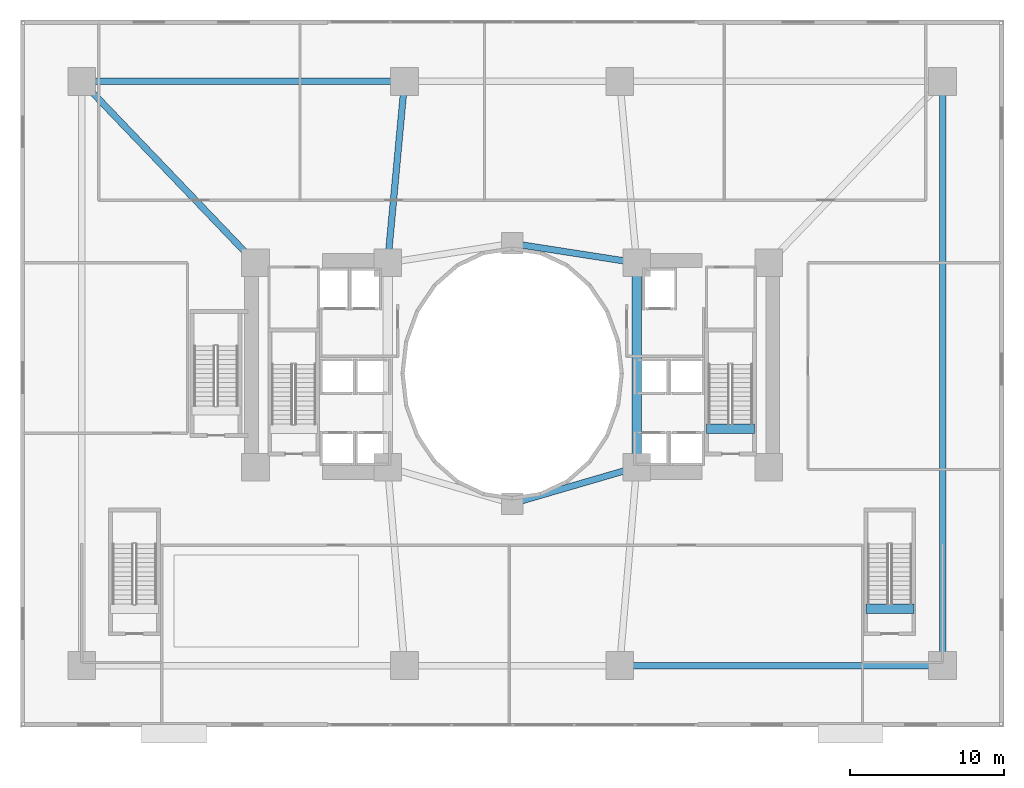
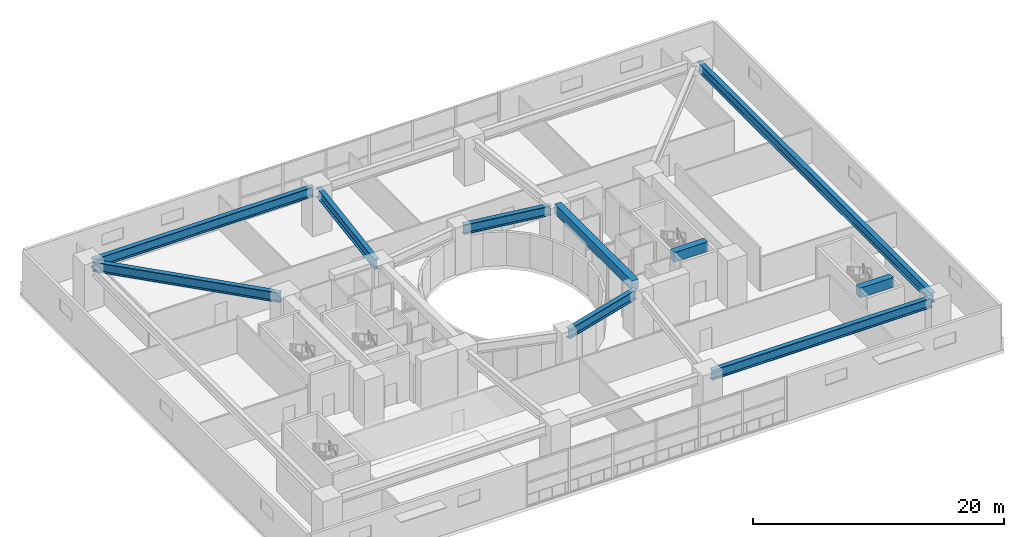
# One storey, part 5 of 20: 10 beams.
"""IFC4 building model written with IfcOpenShell, lengths in metres."""

import ifcopenshell
import ifcopenshell.guid

model = None  # the IFC model being written
_history = None  # IfcOwnerHistory: only IFC2X3 demands one
_inside = {}  # id of a spatial element -> (the spatial element, [elements in it])
_under = {}  # id of a project, library or spatial element -> (it, [spatial elements below it])
_declared = {}  # id of a project -> (the project, [libraries it declares])
_typed = {}  # id of a type object -> (the type object, [elements of that type])
_made_of = {}  # id of a material, layer set ... -> (it, [elements and type objects made of it])


def new_model(schema):
    """Start an empty IFC model of exactly this schema.

    Asked for "IFC4X3", IfcOpenShell would pick the latest addendum, in which some entities
    have other attributes; the version numbers below select the first issue.
    IFC2X3 requires an IfcOwnerHistory on every rooted entity: one is made here for all.
    """
    global model, _history
    if schema == "IFC4X3":
        model = ifcopenshell.file(schema_version=(4, 3, 0, 0))
    else:
        model = ifcopenshell.file(schema=schema)
    _inside.clear()
    _under.clear()
    _declared.clear()
    _typed.clear()
    _made_of.clear()
    _history = None
    if model.schema == "IFC2X3":
        org = make("IfcOrganization", Name="unknown")
        user = make(
            "IfcPersonAndOrganization",
            ThePerson=make("IfcPerson", FamilyName="unknown"),
            TheOrganization=org,
        )
        app = make(
            "IfcApplication",
            ApplicationDeveloper=org,
            Version="unknown",
            ApplicationFullName="unknown",
            ApplicationIdentifier="unknown",
        )
        _history = make(
            "IfcOwnerHistory",
            OwningUser=user,
            OwningApplication=app,
            ChangeAction="ADDED",
            CreationDate=0,
        )
    return model


def make(cls, **values):
    """One entity of the class cls with the attributes given. An attribute that is None is left unset."""
    return model.create_entity(
        cls, **{name: value for name, value in values.items() if value is not None}
    )


def rooted(cls, **values):
    """An entity with a GlobalId (a new one), such as an element, a storey or a relation."""
    return make(cls, GlobalId=ifcopenshell.guid.new(), OwnerHistory=_history, **values)


def si_unit(unit_type, name, prefix=None):
    """IfcSIUnit, for example si_unit("LENGTHUNIT", "METRE", prefix="MILLI")."""
    return make("IfcSIUnit", UnitType=unit_type, Prefix=prefix, Name=name)


def assignment(units):
    """IfcUnitAssignment: the units of a project."""
    return None if units is None else make("IfcUnitAssignment", Units=units)


def point(xyz):
    """IfcCartesianPoint."""
    return None if xyz is None else make("IfcCartesianPoint", Coordinates=xyz)


def direction(xyz):
    """IfcDirection."""
    return None if xyz is None else make("IfcDirection", DirectionRatios=xyz)


def frame(location, z_axis=None, x_axis=None):
    """IfcAxis2Placement3D, a coordinate frame: its origin and axes. An axis left out is left unset."""
    return make(
        "IfcAxis2Placement3D",
        Location=point(location),
        Axis=direction(z_axis),
        RefDirection=direction(x_axis),
    )


def frame_2d(location, x_axis=None):
    """IfcAxis2Placement2D, a coordinate frame in the plane: its origin and x axis."""
    return make(
        "IfcAxis2Placement2D", Location=point(location), RefDirection=direction(x_axis)
    )


def origin():
    """The frame at (0, 0, 0) with its axes left unset."""
    return frame((0.0, 0.0, 0.0))


def origin_2d():
    """The frame at (0, 0) in the plane with its x axis left unset."""
    return frame_2d((0.0, 0.0))


def place(relative_to, where):
    """IfcLocalPlacement: puts the frame where relative to a parent placement (None: the world)."""
    return make(
        "IfcLocalPlacement", PlacementRelTo=relative_to, RelativePlacement=where
    )


def context(
    kind, dimensions, precision=None, world=None, true_north=None, identifier=None
):
    """IfcGeometricRepresentationContext, for example the 3D "Model" context."""
    return make(
        "IfcGeometricRepresentationContext",
        ContextIdentifier=identifier,
        ContextType=kind,
        CoordinateSpaceDimension=dimensions,
        Precision=precision,
        WorldCoordinateSystem=world,
        TrueNorth=true_north,
    )


def subcontext(parent, identifier, kind, view, scale=None):
    """IfcGeometricRepresentationSubContext, for example "Body" below "Model"."""
    return make(
        "IfcGeometricRepresentationSubContext",
        ContextIdentifier=identifier,
        ContextType=kind,
        ParentContext=parent,
        TargetScale=scale,
        TargetView=view,
    )


def project(units=None, contexts=None):
    """IfcProject with its units and contexts."""
    return rooted(
        "IfcProject",
        Name="project",
        RepresentationContexts=contexts,
        UnitsInContext=assignment(units),
    )


def spatial(cls, under=None, at=None, **own):
    """A site, building, storey or space (cls), placed at a placement, below another one or the project."""
    s = rooted(cls, ObjectPlacement=at, **own)
    if under is not None:
        _under.setdefault(under.id(), (under, []))[1].append(s)
    return s


def profile(cls, at=None, kind="AREA", **sizes):
    """A parametric profile (cls). Its sizes go by their IFC names, for example OverallWidth=200.0."""
    return make(cls, ProfileType=kind, Position=at, **sizes)


def rectangle(**sizes):
    """IfcRectangleProfileDef."""
    return profile("IfcRectangleProfileDef", **sizes)


def i_section(**sizes):
    """IfcIShapeProfileDef."""
    return profile("IfcIShapeProfileDef", **sizes)


def extrude(swept, where, along, depth):
    """IfcExtrudedAreaSolid: the profile swept, set in the frame where, extruded along a direction by depth."""
    return make(
        "IfcExtrudedAreaSolid",
        SweptArea=swept,
        Position=where,
        ExtrudedDirection=direction(along),
        Depth=depth,
    )


def shape(context_of_items, identifier, shape_type, items):
    """IfcShapeRepresentation: the items that make up one representation, for example the "Body"."""
    return make(
        "IfcShapeRepresentation",
        ContextOfItems=context_of_items,
        RepresentationIdentifier=identifier,
        RepresentationType=shape_type,
        Items=items,
    )


def material(Name=None, Category=None):
    """IfcMaterial."""
    return make("IfcMaterial", Name=Name, Category=Category)


def material_profile(
    of_material, cross_section, Name=None, Category=None, Priority=None
):
    """IfcMaterialProfile: a cross section and its material."""
    return make(
        "IfcMaterialProfile",
        Name=Name,
        Material=of_material,
        Profile=cross_section,
        Priority=Priority,
        Category=Category,
    )


def profile_set(profiles, Name=None, composite=None):
    """IfcMaterialProfileSet."""
    return make(
        "IfcMaterialProfileSet",
        Name=Name,
        MaterialProfiles=profiles,
        CompositeProfile=composite,
    )


def made_of(thing, what):
    """Note that an element or type object is made of a material, layer set ...; save() writes the relation."""
    if what is not None:
        _made_of.setdefault(what.id(), (what, []))[1].append(thing)
    return thing


def type_object(cls, material=None, **own):
    """A type object (cls), such as IfcWallType, which elements share."""
    return made_of(rooted(cls, **own), material)


def element(
    cls,
    number,
    at=None,
    inside=None,
    cuts=None,
    type_object=None,
    material=None,
    context=None,
    identifier="Body",
    shape_type=None,
    held_by="IfcProductDefinitionShape",
    body=None,
    shapes=None,
    **own,
):
    """One element of the class cls, such as IfcWall. Its Tag is "e" and its number.

    at: its placement. inside: the storey or other place that contains it. cuts: it is an
    opening in that element (IfcRelVoidsElement). A single representation is given by context,
    identifier, shape_type and body (its items); several are given by shapes. held_by: the class
    of the entity that holds the representations. save() writes the other relations.
    """
    e = rooted(cls, Tag="e%d" % number, ObjectPlacement=at, **own)
    if body is not None:
        shapes = [shape(context, identifier, shape_type, body)]
    if shapes is not None:
        e.Representation = make(held_by, Representations=shapes)
    if inside is not None:
        _inside.setdefault(inside.id(), (inside, []))[1].append(e)
    if cuts is not None:
        rooted(
            "IfcRelVoidsElement", RelatingBuildingElement=cuts, RelatedOpeningElement=e
        )
    if type_object is not None:
        _typed.setdefault(type_object.id(), (type_object, []))[1].append(e)
    return made_of(e, material)


def aggregate(whole, parts):
    """IfcRelAggregates: a whole, such as a stair, and the parts it consists of."""
    return rooted("IfcRelAggregates", RelatingObject=whole, RelatedObjects=parts)


def save(model, path):
    """Write the relations noted so far, then the file.

    IfcRelAggregates (storeys below a building ...), IfcRelContainedInSpatialStructure (elements
    in a storey), IfcRelDefinesByType, IfcRelAssociatesMaterial and IfcRelDeclares: one each for
    every whole, place, type object, material and project.
    """
    for whole, parts in _under.values():
        aggregate(whole, parts)
    for where, things in _inside.values():
        rooted(
            "IfcRelContainedInSpatialStructure",
            RelatedElements=things,
            RelatingStructure=where,
        )
    for kind, things in _typed.values():
        rooted("IfcRelDefinesByType", RelatedObjects=things, RelatingType=kind)
    for what, things in _made_of.values():
        rooted("IfcRelAssociatesMaterial", RelatedObjects=things, RelatingMaterial=what)
    for by, libraries in _declared.values():
        rooted("IfcRelDeclares", RelatingContext=by, RelatedDefinitions=libraries)
    model.write(path)


model = new_model("IFC4")

# Units and contexts
model_context = context("Model", 3, precision=1e-05, world=origin(), true_north=direction((0.0, 1.0)))
body_context = subcontext(model_context, "Body", "Model", "MODEL_VIEW")
ifc_project = project(units=[si_unit("LENGTHUNIT", "METRE"), si_unit("AREAUNIT", "SQUARE_METRE"), si_unit("VOLUMEUNIT", "CUBIC_METRE"), si_unit("PLANEANGLEUNIT", "RADIAN"), si_unit("MASSUNIT", "GRAM", prefix="KILO")], contexts=[model_context])

# Site, building, storey
site_placement = place(None, origin())
site = spatial("IfcSite", under=ifc_project, at=site_placement, CompositionType="ELEMENT")
building_placement = place(site_placement, origin())
building = spatial("IfcBuilding", under=site, at=building_placement, Name="Solvane Sanctuary Tower", CompositionType="ELEMENT")
storey_placement = place(building_placement, frame((0.0, 0.0, 18.39990234375)))
storey = spatial("IfcBuildingStorey", under=building, at=storey_placement, Name="L05", CompositionType="ELEMENT", Elevation=18.39990234375)

# Beams
ifc_material_1 = material(Name="Concrete C70/85", Category="concrete")
ifc_material_profile_1 = material_profile(ifc_material_1, rectangle(XDim=0.60009765625, YDim=0.949951171875, at=origin_2d()), Name="RC600X950")
ifc_profile_set_1 = profile_set([ifc_material_profile_1], Name="Concrete C70/85")
beam_type_1 = type_object("IfcBeamType", Name="Beam B-COUPLE RC600X950", PredefinedType="LINTEL", material=ifc_profile_set_1)
beam_1_placement = place(storey_placement, frame((40.10009765625, 17.35009765625, 4.125), z_axis=(0.0, 1.0, 0.0), x_axis=(-1.0, 0.0, 0.0)))
element("IfcBeam", 1, at=beam_1_placement, inside=storey, type_object=beam_type_1, Name="L05 East Core Coupling Lintel", PredefinedType="LINTEL", context=body_context, shape_type="SweptSolid", body=[
    extrude(rectangle(XDim=0.60009765625, YDim=0.949951171875, at=origin_2d()), origin(), (0.0, 0.0, 1.0), 12.39990234375),
])
beam_2_placement = place(storey_placement, frame((44.64990234375, 19.399169921875, 4.125), z_axis=(1.0, 0.0, 0.0), x_axis=(0.0, 1.0, 0.0)))
element("IfcBeam", 2, at=beam_2_placement, inside=storey, type_object=beam_type_1, Name="L05 ST-2 Stair Floor Landing Trimmer", PredefinedType="LINTEL", context=body_context, shape_type="SweptSolid", body=[
    extrude(rectangle(XDim=0.60009765625, YDim=0.949951171875, at=origin_2d()), origin(), (0.0, 0.0, 1.0), 3.1201171875),
])
beam_3_placement = place(storey_placement, frame((55.010009765625, 7.69921875, 4.125), z_axis=(1.0, 0.0, 0.0), x_axis=(0.0, 1.0, 0.0)))
element("IfcBeam", 3, at=beam_3_placement, inside=storey, type_object=beam_type_1, Name="L05 ST-5 Stair Floor Landing Trimmer", PredefinedType="LINTEL", context=body_context, shape_type="SweptSolid", body=[
    extrude(rectangle(XDim=0.60009765625, YDim=0.949951171875, at=origin_2d()), origin(), (0.0, 0.0, 1.0), 3.119873046875),
])
ifc_material_2 = material(Name="Steel ASTM A913 Grade 65", Category="steel")
ifc_material_profile_2 = material_profile(ifc_material_2, i_section(OverallWidth=0.423095703125, OverallDepth=0.947998046875, WebThickness=0.02392578125, FlangeThickness=0.042724609375, FilletRadius=0.02392578125, at=origin_2d()), Name="W36X302")
ifc_profile_set_2 = profile_set([ifc_material_profile_2], Name="Steel ASTM A913 Grade 65")
beam_type_2 = type_object("IfcBeamType", Name="Beam B-POD-GIRD W36X302", PredefinedType="BEAM", material=ifc_profile_set_2)
beam_4_placement = place(storey_placement, frame((39.35009765625, 4.0, 3.80419921875), z_axis=(1.0, 0.0, 0.0), x_axis=(0.0, 1.0, 0.0)))
element("IfcBeam", 4, at=beam_4_placement, inside=storey, type_object=beam_type_2, Name="L05 Podium Primary Girder PG3", PredefinedType="BEAM", context=body_context, shape_type="SweptSolid", body=[
    extrude(i_section(OverallWidth=0.423095703125, OverallDepth=0.947998046875, WebThickness=0.02392578125, FlangeThickness=0.042724609375, FilletRadius=0.02392578125, at=origin_2d()), origin(), (0.0, 0.0, 1.0), 20.2998046875),
])
beam_5_placement = place(storey_placement, frame((60.0, 4.35009765625, 3.80419921875), z_axis=(0.0, 1.0, 0.0), x_axis=(-1.0, 0.0, 0.0)))
element("IfcBeam", 5, at=beam_5_placement, inside=storey, type_object=beam_type_2, Name="L05 Podium Primary Girder PG4", PredefinedType="BEAM", context=body_context, shape_type="SweptSolid", body=[
    extrude(i_section(OverallWidth=0.423095703125, OverallDepth=0.947998046875, WebThickness=0.02392578125, FlangeThickness=0.042724609375, FilletRadius=0.02392578125, at=origin_2d()), origin(), (0.0, 0.0, 1.0), 37.2998046875),
])
beam_6_placement = place(storey_placement, frame((24.64990234375, 42.0, 3.80419921875), z_axis=(-1.0, 0.0, 0.0), x_axis=(0.0, -1.0, 0.0)))
element("IfcBeam", 6, at=beam_6_placement, inside=storey, type_object=beam_type_2, Name="L05 Podium Primary Girder PG7", PredefinedType="BEAM", context=body_context, shape_type="SweptSolid", body=[
    extrude(i_section(OverallWidth=0.423095703125, OverallDepth=0.947998046875, WebThickness=0.02392578125, FlangeThickness=0.042724609375, FilletRadius=0.02392578125, at=origin_2d()), origin(), (0.0, 0.0, 1.0), 20.2998046875),
])
beam_7_placement = place(storey_placement, frame((24.967529296875, 41.651611328125, 3.80419921875), z_axis=(-0.092807615301, -0.9956840596, 0.0), x_axis=(0.9956840596, -0.092807615301, 0.0)))
element("IfcBeam", 7, at=beam_7_placement, inside=storey, type_object=beam_type_2, Name="L05 Podium Primary Girder PG11", PredefinedType="BEAM", context=body_context, shape_type="SweptSolid", body=[
    extrude(i_section(OverallWidth=0.423095703125, OverallDepth=0.947998046875, WebThickness=0.02392578125, FlangeThickness=0.042724609375, FilletRadius=0.02392578125, at=origin_2d()), origin(), (0.0, 0.0, 1.0), 11.151123046875),
])
beam_8_placement = place(storey_placement, frame((4.2421875, 41.747314453125, 3.80419921875), z_axis=(0.691633366234, -0.722248770654, 0.0), x_axis=(0.722248770654, 0.691633366234, 0.0)))
element("IfcBeam", 8, at=beam_8_placement, inside=storey, type_object=beam_type_2, Name="L05 Podium Primary Girder PG14", PredefinedType="BEAM", context=body_context, shape_type="SweptSolid", body=[
    extrude(i_section(OverallWidth=0.423095703125, OverallDepth=0.947998046875, WebThickness=0.02392578125, FlangeThickness=0.042724609375, FilletRadius=0.02392578125, at=origin_2d()), origin(), (0.0, 0.0, 1.0), 15.637939453125),
])
beam_9_placement = place(storey_placement, frame((32.3359375, 14.637939453125, 3.80419921875), z_axis=(0.960084424813, 0.279710380987, 0.0), x_axis=(-0.279710380987, 0.960084424813, 0.0)))
element("IfcBeam", 9, at=beam_9_placement, inside=storey, type_object=beam_type_2, Name="L05 Podium Primary Girder PG18", PredefinedType="BEAM", context=body_context, shape_type="SweptSolid", body=[
    extrude(i_section(OverallWidth=0.423095703125, OverallDepth=0.947998046875, WebThickness=0.02392578125, FlangeThickness=0.042724609375, FilletRadius=0.02392578125, at=origin_2d()), origin(), (0.0, 0.0, 1.0), 7.73681640625),
])
beam_10_placement = place(storey_placement, frame((32.345703125, 31.40625, 3.80419921875), z_axis=(0.988118117449, -0.153696408448, 0.0), x_axis=(0.153696408448, 0.988118117449, 0.0)))
element("IfcBeam", 10, at=beam_10_placement, inside=storey, type_object=beam_type_2, Name="L05 Podium Primary Girder PG20", PredefinedType="BEAM", context=body_context, shape_type="SweptSolid", body=[
    extrude(i_section(OverallWidth=0.423095703125, OverallDepth=0.947998046875, WebThickness=0.02392578125, FlangeThickness=0.042724609375, FilletRadius=0.02392578125, at=origin_2d()), origin(), (0.0, 0.0, 1.0), 7.49755859375),
])

save(model, "model.ifc")
